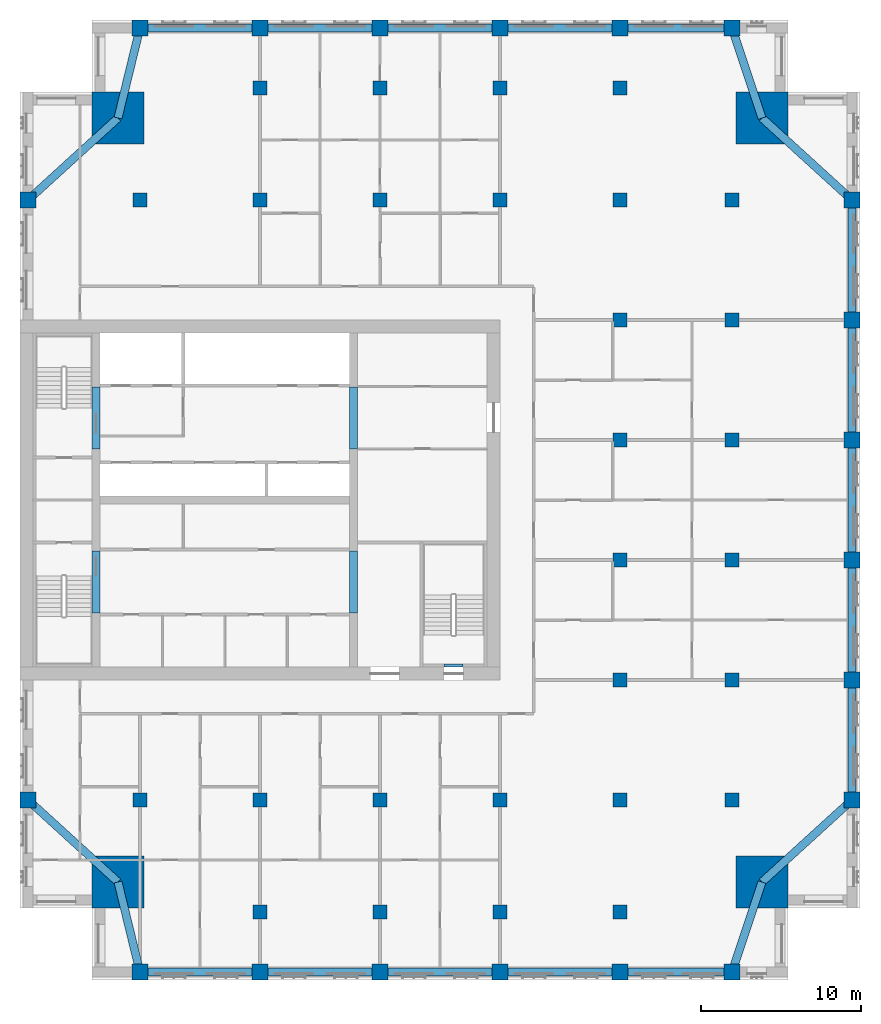
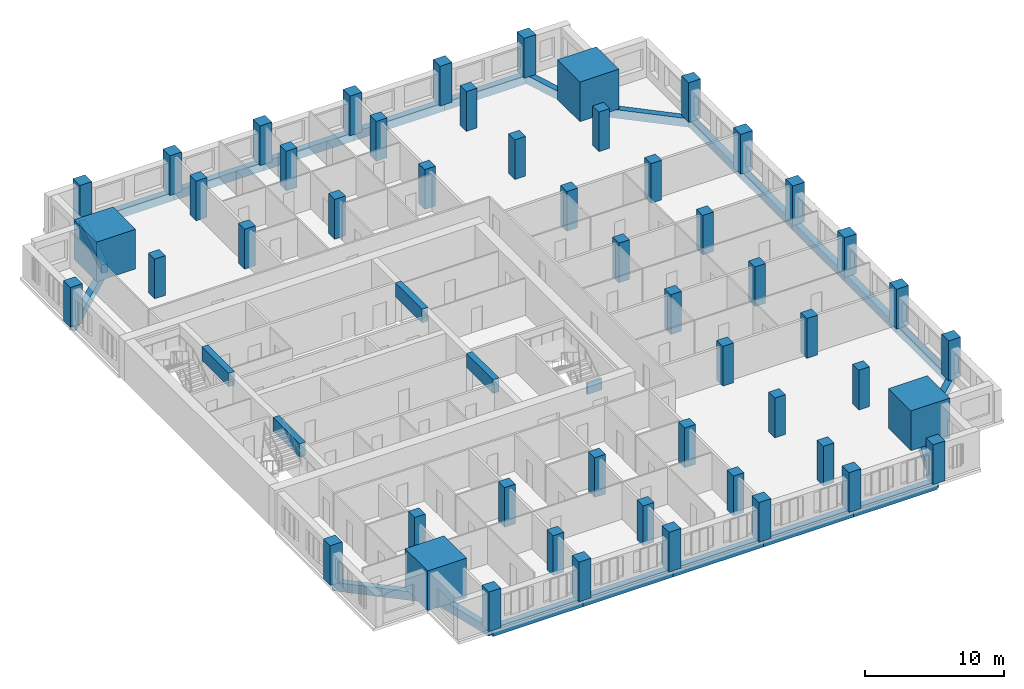
# One storey, part 1 of 14: 52 columns, 28 beams.
"""IFC4 building model written with IfcOpenShell, lengths in metres."""

from ifc_helpers import new_model, si_unit, direction, frame, origin, origin_2d, place, context, subcontext, project, spatial, rectangle, extrude, material, material_profile, profile_set, type_object, element, save


model = new_model("IFC4")

# Units and contexts
model_context = context("Model", 3, precision=1e-05, world=origin(), true_north=direction((0.0, 1.0)))
body_context = subcontext(model_context, "Body", "Model", "MODEL_VIEW")
ifc_project = project(units=[si_unit("LENGTHUNIT", "METRE"), si_unit("AREAUNIT", "SQUARE_METRE"), si_unit("VOLUMEUNIT", "CUBIC_METRE"), si_unit("PLANEANGLEUNIT", "RADIAN"), si_unit("MASSUNIT", "GRAM", prefix="KILO")], contexts=[model_context])

# Site, building, storey
site_placement = place(None, origin())
site = spatial("IfcSite", under=ifc_project, at=site_placement, CompositionType="ELEMENT")
building_placement = place(site_placement, origin())
building = spatial("IfcBuilding", under=site, at=building_placement, Name="Tamorin Gate", CompositionType="ELEMENT")
storey_placement = place(building_placement, frame((0.0, 0.0, 200.199951171875)))
storey = spatial("IfcBuildingStorey", under=building, at=storey_placement, Name="L49", CompositionType="ELEMENT", Elevation=200.199951171875)

# Columns
ifc_material_1 = material(Name="Concrete C60/75", Category="concrete")
ifc_material_profile_1 = material_profile(ifc_material_1, rectangle(XDim=1.0, YDim=1.0, at=origin_2d()), Name="RC 1000x1000")
ifc_profile_set_1 = profile_set([ifc_material_profile_1], Name="Concrete C60/75")
column_type_1 = type_object("IfcColumnType", Name="RC column 1000x1000 C60/75", PredefinedType="COLUMN", material=ifc_profile_set_1)
for number, where, z_axis, x_axis, name in (
    (1, (37.5, 41.75, 0.0), (0.0, 0.0, 1.0), (1.0, 0.0, 0.0), "Ring column L49"),
    (2, (45.0, 41.75, 0.0), (0.0, 0.0, 1.0), (1.0, 0.0, 0.0), "Ring column L49"),
    (3, (52.5, 41.75, 0.0), (0.0, 0.0, 1.0), (1.0, 0.0, 0.0), "Ring column L49"),
    (4, (60.0, 41.75, 0.0), (0.0, 0.0, 1.0), (1.0, 0.0, 0.0), "Ring column L49"),
    (5, (67.5, 41.75, 0.0), (0.0, 0.0, 1.0), (1.0, 0.0, 0.0), "Ring column L49"),
    (6, (74.5, 41.75, 0.0), (0.0, 0.0, 1.0), (1.0, 0.0, 0.0), "Ring column L49"),
    (7, (37.5, 100.75, 0.0), (0.0, 0.0, 1.0), (1.0, 0.0, 0.0), "Ring column L49"),
    (8, (45.0, 100.75, 0.0), (0.0, 0.0, 1.0), (1.0, 0.0, 0.0), "Ring column L49"),
    (9, (52.5, 100.75, 0.0), (0.0, 0.0, 1.0), (1.0, 0.0, 0.0), "Ring column L49"),
    (10, (60.0, 100.75, 0.0), (0.0, 0.0, 1.0), (1.0, 0.0, 0.0), "Ring column L49"),
    (11, (67.5, 100.75, 0.0), (0.0, 0.0, 1.0), (1.0, 0.0, 0.0), "Ring column L49"),
    (12, (74.5, 100.75, 0.0), (0.0, 0.0, 1.0), (1.0, 0.0, 0.0), "Ring column L49"),
    (13, (30.5, 52.5, 0.0), (0.0, 0.0, 1.0), (1.0, 0.0, 0.0), "Ring column L49"),
    (14, (30.5, 90.0, 0.0), (0.0, 0.0, 1.0), (1.0, 0.0, 0.0), "Ring column L49"),
    (15, (82.0, 52.5, 0.0), (0.0, 0.0, 1.0), (1.0, 0.0, 0.0), "Ring column L49"),
    (16, (82.0, 60.0, 0.0), (0.0, 0.0, 1.0), (1.0, 0.0, 0.0), "Ring column L49"),
    (17, (82.0, 67.5, 0.0), (0.0, 0.0, 1.0), (1.0, 0.0, 0.0), "Ring column L49"),
    (18, (82.0, 75.0, 0.0), (0.0, 0.0, 1.0), (1.0, 0.0, 0.0), "Ring column L49"),
    (19, (82.0, 82.5, 0.0), (0.0, 0.0, 1.0), (1.0, 0.0, 0.0), "Ring column L49"),
    (20, (82.0, 90.0, 0.0), (0.0, 0.0, 1.0), (1.0, 0.0, 0.0), "Ring column L49"),
):
    element("IfcColumn", number, at=place(storey_placement, frame(where, z_axis=z_axis, x_axis=x_axis)), inside=storey, type_object=column_type_1, Name=name, PredefinedType="COLUMN", context=body_context, shape_type="SweptSolid", body=[
        extrude(rectangle(XDim=1.0, YDim=1.0, at=origin_2d()), origin(), (0.0, 0.0, 1.0), 3.5),
    ])
ifc_material_profile_2 = material_profile(ifc_material_1, rectangle(XDim=3.25, YDim=3.25, at=origin_2d()), Name="RC 3250x3250")
ifc_profile_set_2 = profile_set([ifc_material_profile_2], Name="Concrete C60/75")
column_type_2 = type_object("IfcColumnType", Name="RC column 3250x3250 C60/75", PredefinedType="COLUMN", material=ifc_profile_set_2)
for number, where, z_axis, x_axis, name in (
    (21, (36.125, 47.375, 0.0), (0.0, 0.0, 1.0), (1.0, 0.0, 0.0), "Mega column SW L49"),
    (22, (76.375, 47.375, 0.0), (0.0, 0.0, 1.0), (1.0, 0.0, 0.0), "Mega column SE L49"),
    (23, (36.125, 95.125, 0.0), (0.0, 0.0, 1.0), (1.0, 0.0, 0.0), "Mega column NW L49"),
    (24, (76.375, 95.125, 0.0), (0.0, 0.0, 1.0), (1.0, 0.0, 0.0), "Mega column NE L49"),
):
    element("IfcColumn", number, at=place(storey_placement, frame(where, z_axis=z_axis, x_axis=x_axis)), inside=storey, type_object=column_type_2, Name=name, PredefinedType="COLUMN", context=body_context, shape_type="SweptSolid", body=[
        extrude(rectangle(XDim=3.25, YDim=3.25, at=origin_2d()), origin(), (0.0, 0.0, 1.0), 3.5),
    ])
ifc_material_profile_3 = material_profile(ifc_material_1, rectangle(XDim=0.89990234375, YDim=0.89990234375, at=origin_2d()), Name="RC 900x900")
ifc_profile_set_3 = profile_set([ifc_material_profile_3], Name="Concrete C60/75")
column_type_3 = type_object("IfcColumnType", Name="RC column 900x900 C60/75", PredefinedType="COLUMN", material=ifc_profile_set_3)
for number, where, z_axis, x_axis, name in (
    (25, (37.5, 52.5, 0.0), (0.0, 0.0, 1.0), (1.0, 0.0, 0.0), "Interior column L49"),
    (26, (37.5, 90.0, 0.0), (0.0, 0.0, 1.0), (1.0, 0.0, 0.0), "Interior column L49"),
    (27, (45.0, 45.5, 0.0), (0.0, 0.0, 1.0), (1.0, 0.0, 0.0), "Interior column L49"),
    (28, (45.0, 52.5, 0.0), (0.0, 0.0, 1.0), (1.0, 0.0, 0.0), "Interior column L49"),
    (29, (45.0, 90.0, 0.0), (0.0, 0.0, 1.0), (1.0, 0.0, 0.0), "Interior column L49"),
    (30, (45.0, 97.0, 0.0), (0.0, 0.0, 1.0), (1.0, 0.0, 0.0), "Interior column L49"),
    (31, (52.5, 45.5, 0.0), (0.0, 0.0, 1.0), (1.0, 0.0, 0.0), "Interior column L49"),
    (32, (52.5, 52.5, 0.0), (0.0, 0.0, 1.0), (1.0, 0.0, 0.0), "Interior column L49"),
    (33, (52.5, 90.0, 0.0), (0.0, 0.0, 1.0), (1.0, 0.0, 0.0), "Interior column L49"),
    (34, (52.5, 97.0, 0.0), (0.0, 0.0, 1.0), (1.0, 0.0, 0.0), "Interior column L49"),
    (35, (60.0, 45.5, 0.0), (0.0, 0.0, 1.0), (1.0, 0.0, 0.0), "Interior column L49"),
    (36, (60.0, 52.5, 0.0), (0.0, 0.0, 1.0), (1.0, 0.0, 0.0), "Interior column L49"),
    (37, (60.0, 90.0, 0.0), (0.0, 0.0, 1.0), (1.0, 0.0, 0.0), "Interior column L49"),
    (38, (60.0, 97.0, 0.0), (0.0, 0.0, 1.0), (1.0, 0.0, 0.0), "Interior column L49"),
    (39, (67.5, 45.5, 0.0), (0.0, 0.0, 1.0), (1.0, 0.0, 0.0), "Interior column L49"),
    (40, (67.5, 52.5, 0.0), (0.0, 0.0, 1.0), (1.0, 0.0, 0.0), "Interior column L49"),
    (41, (67.5, 60.0, 0.0), (0.0, 0.0, 1.0), (1.0, 0.0, 0.0), "Interior column L49"),
    (42, (67.5, 67.5, 0.0), (0.0, 0.0, 1.0), (1.0, 0.0, 0.0), "Interior column L49"),
    (43, (67.5, 75.0, 0.0), (0.0, 0.0, 1.0), (1.0, 0.0, 0.0), "Interior column L49"),
    (44, (67.5, 82.5, 0.0), (0.0, 0.0, 1.0), (1.0, 0.0, 0.0), "Interior column L49"),
    (45, (67.5, 90.0, 0.0), (0.0, 0.0, 1.0), (1.0, 0.0, 0.0), "Interior column L49"),
    (46, (67.5, 97.0, 0.0), (0.0, 0.0, 1.0), (1.0, 0.0, 0.0), "Interior column L49"),
    (47, (74.5, 52.5, 0.0), (0.0, 0.0, 1.0), (1.0, 0.0, 0.0), "Interior column L49"),
    (48, (74.5, 60.0, 0.0), (0.0, 0.0, 1.0), (1.0, 0.0, 0.0), "Interior column L49"),
    (49, (74.5, 67.5, 0.0), (0.0, 0.0, 1.0), (1.0, 0.0, 0.0), "Interior column L49"),
    (50, (74.5, 75.0, 0.0), (0.0, 0.0, 1.0), (1.0, 0.0, 0.0), "Interior column L49"),
    (51, (74.5, 82.5, 0.0), (0.0, 0.0, 1.0), (1.0, 0.0, 0.0), "Interior column L49"),
    (52, (74.5, 90.0, 0.0), (0.0, 0.0, 1.0), (1.0, 0.0, 0.0), "Interior column L49"),
):
    element("IfcColumn", number, at=place(storey_placement, frame(where, z_axis=z_axis, x_axis=x_axis)), inside=storey, type_object=column_type_3, Name=name, PredefinedType="COLUMN", context=body_context, shape_type="SweptSolid", body=[
        extrude(rectangle(XDim=0.89990234375, YDim=0.89990234375, at=origin_2d()), origin(), (0.0, 0.0, 1.0), 3.5),
    ])

# Beams
ifc_material_profile_4 = material_profile(ifc_material_1, rectangle(XDim=0.5, YDim=1.199951171875, at=origin_2d()), Name="RC 500x1200")
ifc_profile_set_4 = profile_set([ifc_material_profile_4], Name="Concrete C60/75")
beam_type_1 = type_object("IfcBeamType", Name="RC coupling beam 500x1200 C60/75", PredefinedType="BEAM", material=ifc_profile_set_4)
for number, where, z_axis, x_axis, name in (
    (53, (34.75, 64.199951171875, 2.900146484375), (0.0, 1.0, 0.0), (-1.0, 0.0, 0.0), "Coupling beam L49"),
    (54, (34.75, 74.449951171875, 2.900146484375), (0.0, 1.0, 0.0), (-1.0, 0.0, 0.0), "Coupling beam L49"),
    (55, (50.85009765625, 64.199951171875, 2.900146484375), (0.0, 1.0, 0.0), (-1.0, 0.0, 0.0), "Coupling beam L49"),
    (56, (50.85009765625, 74.449951171875, 2.900146484375), (0.0, 1.0, 0.0), (-1.0, 0.0, 0.0), "Coupling beam L49"),
):
    element("IfcBeam", number, at=place(storey_placement, frame(where, z_axis=z_axis, x_axis=x_axis)), inside=storey, type_object=beam_type_1, Name=name, PredefinedType="BEAM", context=body_context, shape_type="SweptSolid", body=[
        extrude(rectangle(XDim=0.5, YDim=1.199951171875, at=origin_2d()), origin(), (0.0, 0.0, 1.0), 3.85009765625),
    ])
ifc_material_2 = material(Name="Concrete C50/60", Category="concrete")
ifc_material_profile_5 = material_profile(ifc_material_2, rectangle(XDim=0.5, YDim=0.75, at=origin_2d()), Name="RC 500x750")
ifc_profile_set_5 = profile_set([ifc_material_profile_5], Name="Concrete C50/60")
beam_type_2 = type_object("IfcBeamType", Name="RC spandrel 500x750 C50/60", PredefinedType="BEAM", material=ifc_profile_set_5)
for number, where, z_axis, x_axis, name in (
    (57, (37.5, 41.75, -0.375), (1.0, 0.0, 0.0), (0.0, 1.0, 0.0), "Spandrel beam L49"),
    (58, (45.0, 41.75, -0.375), (1.0, 0.0, 0.0), (0.0, 1.0, 0.0), "Spandrel beam L49"),
    (59, (52.5, 41.75, -0.375), (1.0, 0.0, 0.0), (0.0, 1.0, 0.0), "Spandrel beam L49"),
    (60, (60.0, 41.75, -0.375), (1.0, 0.0, 0.0), (0.0, 1.0, 0.0), "Spandrel beam L49"),
):
    element("IfcBeam", number, at=place(storey_placement, frame(where, z_axis=z_axis, x_axis=x_axis)), inside=storey, type_object=beam_type_2, Name=name, PredefinedType="BEAM", context=body_context, shape_type="SweptSolid", body=[
        extrude(rectangle(XDim=0.5, YDim=0.75, at=origin_2d()), origin(), (0.0, 0.0, 1.0), 7.5),
    ])
beam_1_placement = place(storey_placement, frame((67.5, 41.75, -0.375), z_axis=(1.0, 0.0, 0.0), x_axis=(0.0, 1.0, 0.0)))
element("IfcBeam", 61, at=beam_1_placement, inside=storey, type_object=beam_type_2, Name="Spandrel beam L49", PredefinedType="BEAM", context=body_context, shape_type="SweptSolid", body=[
    extrude(rectangle(XDim=0.5, YDim=0.75, at=origin_2d()), origin(), (0.0, 0.0, 1.0), 7.0),
])
for number, where, z_axis, x_axis, name in (
    (62, (82.0, 52.5, -0.375), (0.0, 1.0, 0.0), (-1.0, 0.0, 0.0), "Spandrel beam L49"),
    (63, (82.0, 60.0, -0.375), (0.0, 1.0, 0.0), (-1.0, 0.0, 0.0), "Spandrel beam L49"),
    (64, (82.0, 67.5, -0.375), (0.0, 1.0, 0.0), (-1.0, 0.0, 0.0), "Spandrel beam L49"),
    (65, (82.0, 75.0, -0.375), (0.0, 1.0, 0.0), (-1.0, 0.0, 0.0), "Spandrel beam L49"),
    (66, (82.0, 82.5, -0.375), (0.0, 1.0, 0.0), (-1.0, 0.0, 0.0), "Spandrel beam L49"),
):
    element("IfcBeam", number, at=place(storey_placement, frame(where, z_axis=z_axis, x_axis=x_axis)), inside=storey, type_object=beam_type_2, Name=name, PredefinedType="BEAM", context=body_context, shape_type="SweptSolid", body=[
        extrude(rectangle(XDim=0.5, YDim=0.75, at=origin_2d()), origin(), (0.0, 0.0, 1.0), 7.5),
    ])
beam_2_placement = place(storey_placement, frame((74.5, 100.75, -0.375), z_axis=(-1.0, 0.0, 0.0), x_axis=(0.0, -1.0, 0.0)))
element("IfcBeam", 67, at=beam_2_placement, inside=storey, type_object=beam_type_2, Name="Spandrel beam L49", PredefinedType="BEAM", context=body_context, shape_type="SweptSolid", body=[
    extrude(rectangle(XDim=0.5, YDim=0.75, at=origin_2d()), origin(), (0.0, 0.0, 1.0), 7.0),
])
for number, where, z_axis, x_axis, name in (
    (68, (67.5, 100.75, -0.375), (-1.0, 0.0, 0.0), (0.0, -1.0, 0.0), "Spandrel beam L49"),
    (69, (60.0, 100.75, -0.375), (-1.0, 0.0, 0.0), (0.0, -1.0, 0.0), "Spandrel beam L49"),
    (70, (52.5, 100.75, -0.375), (-1.0, 0.0, 0.0), (0.0, -1.0, 0.0), "Spandrel beam L49"),
    (71, (45.0, 100.75, -0.375), (-1.0, 0.0, 0.0), (0.0, -1.0, 0.0), "Spandrel beam L49"),
):
    element("IfcBeam", number, at=place(storey_placement, frame(where, z_axis=z_axis, x_axis=x_axis)), inside=storey, type_object=beam_type_2, Name=name, PredefinedType="BEAM", context=body_context, shape_type="SweptSolid", body=[
        extrude(rectangle(XDim=0.5, YDim=0.75, at=origin_2d()), origin(), (0.0, 0.0, 1.0), 7.5),
    ])
beam_3_placement = place(storey_placement, frame((36.125, 47.375, -0.375), z_axis=(0.237453090477, -0.971399006497, 0.0), x_axis=(0.971399006497, 0.237453090477, 0.0)))
element("IfcBeam", 72, at=beam_3_placement, inside=storey, type_object=beam_type_2, Name="Corner tie beam L49", PredefinedType="BEAM", context=body_context, shape_type="SweptSolid", body=[
    extrude(rectangle(XDim=0.5, YDim=0.75, at=origin_2d()), origin(), (0.0, 0.0, 1.0), 5.79052734375),
])
beam_4_placement = place(storey_placement, frame((36.125, 47.375, -0.375), z_axis=(-0.739196337275, 0.673489996184, 0.0), x_axis=(-0.673489996184, -0.739196337275, 0.0)))
element("IfcBeam", 73, at=beam_4_placement, inside=storey, type_object=beam_type_2, Name="Corner tie beam L49", PredefinedType="BEAM", context=body_context, shape_type="SweptSolid", body=[
    extrude(rectangle(XDim=0.5, YDim=0.75, at=origin_2d()), origin(), (0.0, 0.0, 1.0), 7.609619140625),
])
beam_5_placement = place(storey_placement, frame((76.375, 47.375, -0.375), z_axis=(-0.316227766017, -0.948683298051, 0.0), x_axis=(0.948683298051, -0.316227766017, 0.0)))
element("IfcBeam", 74, at=beam_5_placement, inside=storey, type_object=beam_type_2, Name="Corner tie beam L49", PredefinedType="BEAM", context=body_context, shape_type="SweptSolid", body=[
    extrude(rectangle(XDim=0.5, YDim=0.75, at=origin_2d()), origin(), (0.0, 0.0, 1.0), 5.92919921875),
])
beam_6_placement = place(storey_placement, frame((76.375, 47.375, -0.375), z_axis=(0.739196337275, 0.673489996184, 0.0), x_axis=(-0.673489996184, 0.739196337275, 0.0)))
element("IfcBeam", 75, at=beam_6_placement, inside=storey, type_object=beam_type_2, Name="Corner tie beam L49", PredefinedType="BEAM", context=body_context, shape_type="SweptSolid", body=[
    extrude(rectangle(XDim=0.5, YDim=0.75, at=origin_2d()), origin(), (0.0, 0.0, 1.0), 7.609619140625),
])
beam_7_placement = place(storey_placement, frame((36.125, 95.125, -0.375), z_axis=(0.237453090477, 0.971399006497, 0.0), x_axis=(-0.971399006497, 0.237453090477, 0.0)))
element("IfcBeam", 76, at=beam_7_placement, inside=storey, type_object=beam_type_2, Name="Corner tie beam L49", PredefinedType="BEAM", context=body_context, shape_type="SweptSolid", body=[
    extrude(rectangle(XDim=0.5, YDim=0.75, at=origin_2d()), origin(), (0.0, 0.0, 1.0), 5.79052734375),
])
beam_8_placement = place(storey_placement, frame((36.125, 95.125, -0.375), z_axis=(-0.739196337275, -0.673489996184, 0.0), x_axis=(0.673489996184, -0.739196337275, 0.0)))
element("IfcBeam", 77, at=beam_8_placement, inside=storey, type_object=beam_type_2, Name="Corner tie beam L49", PredefinedType="BEAM", context=body_context, shape_type="SweptSolid", body=[
    extrude(rectangle(XDim=0.5, YDim=0.75, at=origin_2d()), origin(), (0.0, 0.0, 1.0), 7.609619140625),
])
beam_9_placement = place(storey_placement, frame((76.375, 95.125, -0.375), z_axis=(-0.316227766017, 0.948683298051, 0.0), x_axis=(-0.948683298051, -0.316227766017, 0.0)))
element("IfcBeam", 78, at=beam_9_placement, inside=storey, type_object=beam_type_2, Name="Corner tie beam L49", PredefinedType="BEAM", context=body_context, shape_type="SweptSolid", body=[
    extrude(rectangle(XDim=0.5, YDim=0.75, at=origin_2d()), origin(), (0.0, 0.0, 1.0), 5.92919921875),
])
beam_10_placement = place(storey_placement, frame((76.375, 95.125, -0.375), z_axis=(0.739196337275, -0.673489996184, 0.0), x_axis=(0.673489996184, 0.739196337275, 0.0)))
element("IfcBeam", 79, at=beam_10_placement, inside=storey, type_object=beam_type_2, Name="Corner tie beam L49", PredefinedType="BEAM", context=body_context, shape_type="SweptSolid", body=[
    extrude(rectangle(XDim=0.5, YDim=0.75, at=origin_2d()), origin(), (0.0, 0.0, 1.0), 7.609619140625),
])
ifc_material_profile_6 = material_profile(ifc_material_1, rectangle(XDim=0.199951171875, YDim=1.0, at=origin_2d()))
ifc_profile_set_6 = profile_set([ifc_material_profile_6], Name="Concrete C60/75")
beam_type_3 = type_object("IfcBeamType", Name="Stair lintel 200x1000 C60/75", PredefinedType="BEAM", material=ifc_profile_set_6)
beam_11_placement = place(storey_placement, frame((56.5, 60.89990234375, 2.699951171875), z_axis=(1.0, 0.0, 0.0), x_axis=(0.0, 1.0, 0.0)))
element("IfcBeam", 80, at=beam_11_placement, inside=storey, type_object=beam_type_3, Name="Stair lintel", PredefinedType="BEAM", context=body_context, shape_type="SweptSolid", body=[
    extrude(rectangle(XDim=0.199951171875, YDim=1.0, at=origin_2d()), origin(), (0.0, 0.0, 1.0), 1.199951171875),
])

save(model, "model.ifc")
